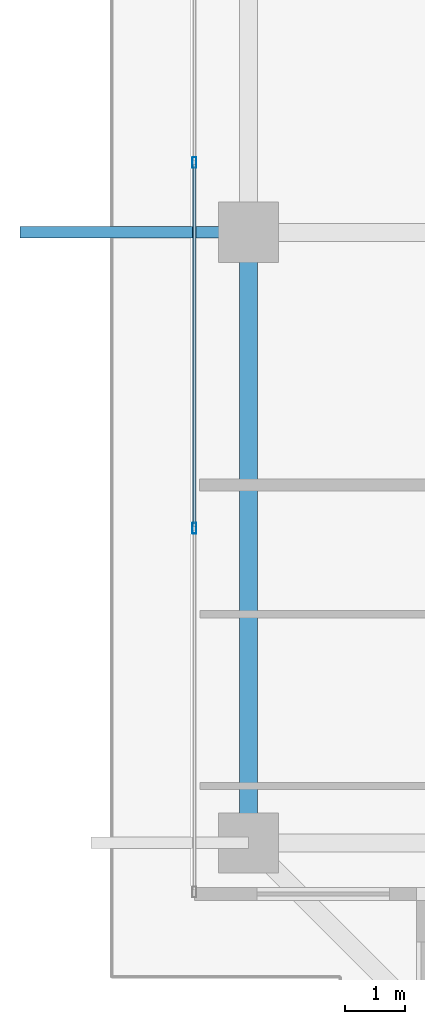
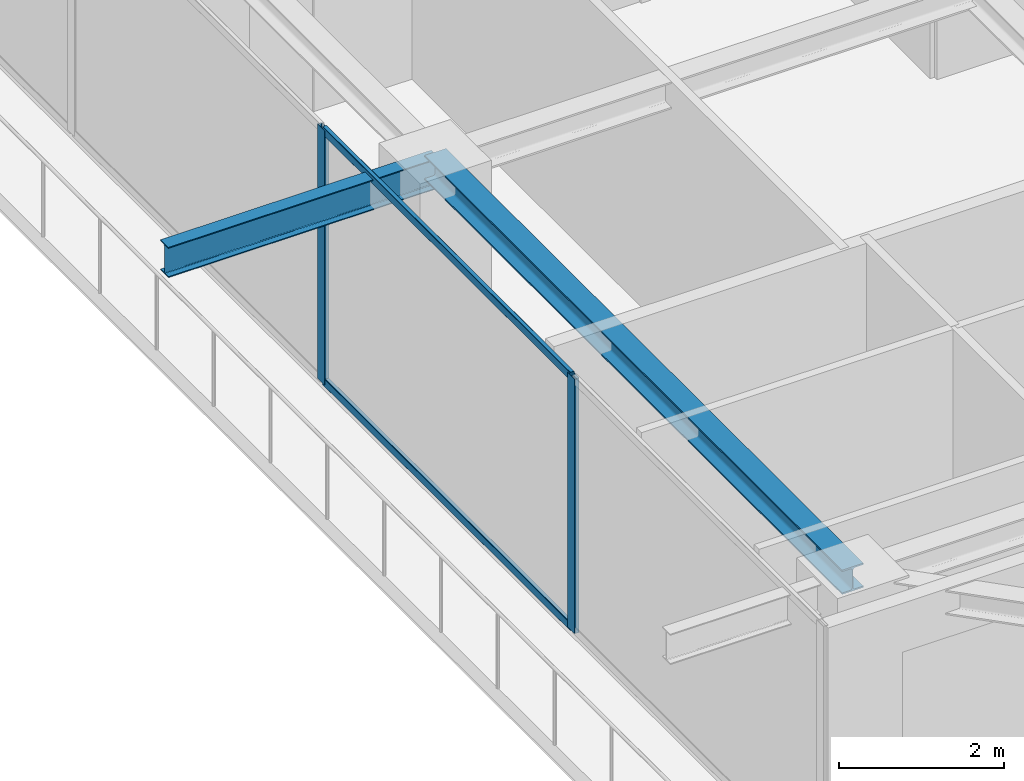
# One storey, part 7 of 41: 4 members, 2 beams, 1 element without a shape of its own.
"""IFC4 building model written with IfcOpenShell, lengths in metres."""

from ifc_helpers import new_model, si_unit, direction, frame, origin, origin_2d, place, context, subcontext, project, spatial, hollow_rectangle, i_section, extrude, source, transform, mapped, material, layer, layer_set, material_profile, profile_set, type_object, element, aggregate, save


model = new_model("IFC4")

# Units and contexts
model_context = context("Model", 3, precision=1e-05, world=origin(), true_north=direction((0.0, 1.0)))
body_context = subcontext(model_context, "Body", "Model", "MODEL_VIEW")
ifc_project = project(units=[si_unit("LENGTHUNIT", "METRE"), si_unit("AREAUNIT", "SQUARE_METRE"), si_unit("VOLUMEUNIT", "CUBIC_METRE"), si_unit("PLANEANGLEUNIT", "RADIAN"), si_unit("MASSUNIT", "GRAM", prefix="KILO")], contexts=[model_context])

# Site, building, storey
site_placement = place(None, origin())
site = spatial("IfcSite", under=ifc_project, at=site_placement, CompositionType="ELEMENT")
building_placement = place(site_placement, origin())
building = spatial("IfcBuilding", under=site, at=building_placement, Name="Serunith Strait Residences", CompositionType="ELEMENT")
storey_placement = place(building_placement, frame((0.0, 0.0, 301.550048828125)))
storey = spatial("IfcBuildingStorey", under=building, at=storey_placement, Name="L75", CompositionType="ELEMENT", Elevation=301.550048828125)

# Beams
ifc_material_1 = material(Name="Steel S355J2", Category="steel")
ifc_material_profile_1 = material_profile(ifc_material_1, i_section(OverallWidth=0.300048828125, OverallDepth=0.360107421875, WebThickness=0.012451171875, FlangeThickness=0.0224609375, FilletRadius=0.027099609375, at=origin_2d()), Name="HEB 360")
ifc_profile_set_1 = profile_set([ifc_material_profile_1], Name="Steel S355J2")
beam_type_1 = type_object("IfcBeamType", Name="BM-HEB360", PredefinedType="BEAM", material=ifc_profile_set_1)
shared_shape_1 = source(origin(), body_context, "Body", "SweptSolid", [
    extrude(i_section(OverallWidth=0.300048828125, OverallDepth=0.360107421875, WebThickness=0.012451171875, FlangeThickness=0.0224609375, FilletRadius=0.027099609375, at=origin_2d()), origin(), (0.0, 0.0, 1.0), 10.14990234375),
])
beam_1_placement = place(storey_placement, frame((10.10009765625, 21.0, 3.60693359375), z_axis=(0.0, -1.0, 0.0), x_axis=(1.0, 0.0, 0.0)))
element("IfcBeam", 1, at=beam_1_placement, inside=storey, type_object=beam_type_1, Name="L75 Perimeter Ring Beam 15", PredefinedType="BEAM", context=body_context, shape_type="MappedRepresentation", body=[
    mapped(shared_shape_1, transform((0.0, 0.0, 0.0), scale=1.0)),
])
ifc_material_profile_2 = material_profile(ifc_material_1, i_section(OverallWidth=0.18994140625, OverallDepth=0.449951171875, WebThickness=0.009521484375, FlangeThickness=0.0146484375, FilletRadius=0.02099609375, at=origin_2d()), Name="IPE 450")
ifc_profile_set_2 = profile_set([ifc_material_profile_2], Name="Steel S355J2")
beam_type_2 = type_object("IfcBeamType", Name="BM-IPE450", PredefinedType="JOIST", material=ifc_profile_set_2)
shared_shape_2 = source(origin(), body_context, "Body", "SweptSolid", [
    extrude(i_section(OverallWidth=0.18994140625, OverallDepth=0.449951171875, WebThickness=0.009521484375, FlangeThickness=0.0146484375, FilletRadius=0.02099609375, at=origin_2d()), origin(), (0.0, 0.0, 1.0), 3.800048828125),
])
beam_2_placement = place(storey_placement, frame((10.10009765625, 21.0, 3.531982421875), z_axis=(-1.0, 0.0, 0.0), x_axis=(0.0, -1.0, 0.0)))
element("IfcBeam", 2, at=beam_2_placement, inside=storey, type_object=beam_type_2, Name="L76 Cantilevered Balcony Rib TC-W2", PredefinedType="JOIST", context=body_context, shape_type="MappedRepresentation", body=[
    mapped(shared_shape_2, transform((0.0, 0.0, 0.0), scale=1.0)),
])

# Curtain wall, members
ifc_material_2 = material(Name="Brushed Stainless-Silver Aluminium", Category="aluminium")
ifc_layer = layer(ifc_material_2, 0.199951171875, Name="Brushed Stainless-Silver Aluminium")
ifc_layer_set = layer_set([ifc_layer], Name="Brushed Stainless-Silver Aluminium")
curtain_wall_type = type_object("IfcCurtainWallType", Name="CW-SYS5", PredefinedType="NOTDEFINED", material=ifc_layer_set)
curtain_wall_placement = place(storey_placement, origin())
curtain_wall = element("IfcCurtainWall", 3, at=curtain_wall_placement, inside=storey, type_object=curtain_wall_type, Name="L75 W Unitised Fritted Curtain Wall", PredefinedType="NOTDEFINED")
ifc_material_profile_3 = material_profile(ifc_material_2, hollow_rectangle(XDim=0.06005859375, YDim=0.1201171875, WallThickness=0.00341796875, InnerFilletRadius=0.00537109375, OuterFilletRadius=0.0087890625, at=origin_2d()), Name="ALU 120x60x3.5")
ifc_profile_set_3 = profile_set([ifc_material_profile_3], Name="Brushed Stainless-Silver Aluminium")
member_type_1 = type_object("IfcMemberType", Name="CW-SYS5-TRAN", PredefinedType="USERDEFINED", material=ifc_profile_set_3)
shared_shape_3 = source(origin(), body_context, "Body", "SweptSolid", [
    extrude(hollow_rectangle(XDim=0.06005859375, YDim=0.1201171875, WallThickness=0.00341796875, InnerFilletRadius=0.00537109375, OuterFilletRadius=0.0087890625, at=origin_2d()), origin(), (0.0, 0.0, 1.0), 6.014892578125),
])
member_1_placement = place(storey_placement, frame((9.199951171875, 22.12744140625, 0.030029296875), z_axis=(0.0, -1.0, 0.0), x_axis=(1.0, 0.0, 0.0)))
member_1 = element("IfcMember", 4, at=member_1_placement, type_object=member_type_1, Name="CW-5 transom 4.1", ObjectType="TRANSOM", PredefinedType="USERDEFINED", context=body_context, shape_type="MappedRepresentation", body=[
    mapped(shared_shape_3, transform((0.0, 0.0, 0.0), scale=1.0)),
])
member_2_placement = place(storey_placement, frame((9.199951171875, 22.12744140625, 3.744873046875), z_axis=(0.0, -1.0, 0.0), x_axis=(1.0, 0.0, 0.0)))
member_2 = element("IfcMember", 5, at=member_2_placement, type_object=member_type_1, Name="CW-5 transom 4.2", ObjectType="TRANSOM", PredefinedType="USERDEFINED", context=body_context, shape_type="MappedRepresentation", body=[
    mapped(shared_shape_3, transform((0.0, 0.0, 0.0), scale=1.0)),
])
ifc_material_profile_4 = material_profile(ifc_material_2, hollow_rectangle(XDim=0.06494140625, YDim=0.179931640625, WallThickness=0.00341796875, InnerFilletRadius=0.00537109375, OuterFilletRadius=0.0087890625, at=origin_2d()), Name="ALU 180x65x3.5")
ifc_profile_set_4 = profile_set([ifc_material_profile_4], Name="Brushed Stainless-Silver Aluminium")
member_type_2 = type_object("IfcMemberType", Name="CW-SYS5-MULL", PredefinedType="MULLION", material=ifc_profile_set_4)
shared_shape_4 = source(origin(), body_context, "Body", "SweptSolid", [
    extrude(hollow_rectangle(XDim=0.06494140625, YDim=0.179931640625, WallThickness=0.00341796875, InnerFilletRadius=0.00537109375, OuterFilletRadius=0.0087890625, at=origin_2d()), origin(), (0.0, 0.0, 1.0), 3.77490234375),
])
member_3_placement = place(storey_placement, frame((9.199951171875, 22.159912109375, 0.0), z_axis=(0.0, 0.0, 1.0), x_axis=(1.0, 0.0, 0.0)))
member_3 = element("IfcMember", 6, at=member_3_placement, type_object=member_type_2, Name="CW-5 mullion 4", PredefinedType="MULLION", context=body_context, shape_type="MappedRepresentation", body=[
    mapped(shared_shape_4, transform((0.0, 0.0, 0.0), scale=1.0)),
])
member_4_placement = place(storey_placement, frame((9.199951171875, 16.080078125, 0.0), z_axis=(0.0, 0.0, 1.0), x_axis=(1.0, 0.0, 0.0)))
member_4 = element("IfcMember", 7, at=member_4_placement, type_object=member_type_2, Name="CW-5 mullion 5", PredefinedType="MULLION", context=body_context, shape_type="MappedRepresentation", body=[
    mapped(shared_shape_4, transform((0.0, 0.0, 0.0), scale=1.0)),
])
aggregate(curtain_wall, [member_3, member_4, member_1, member_2])

save(model, "model.ifc")
